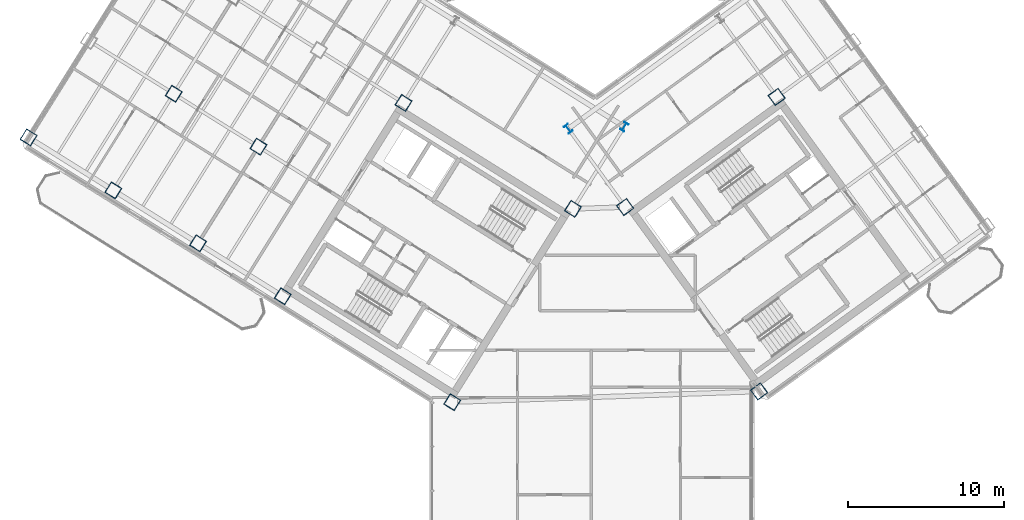
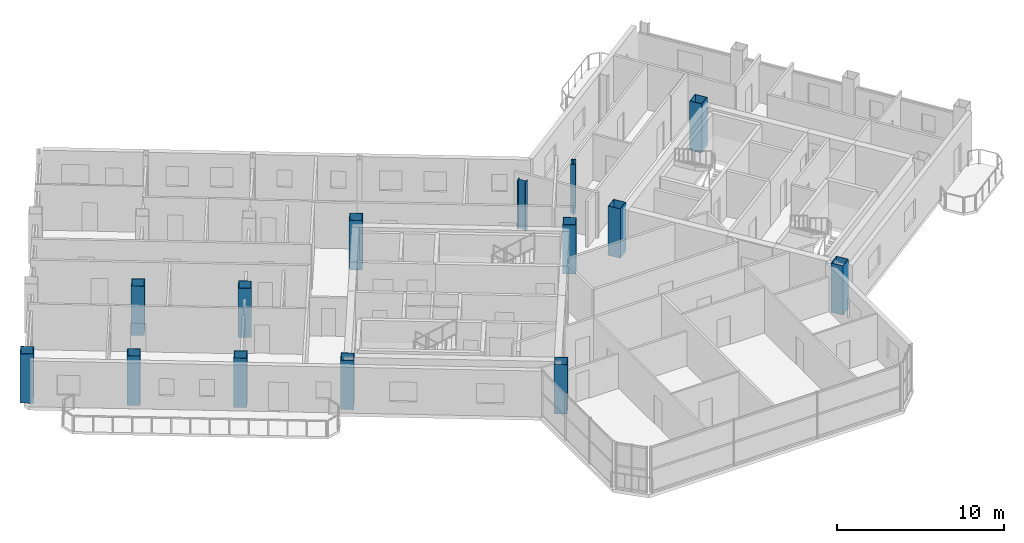
# One storey, part 1 of 21: 14 columns.
"""IFC4 building model written with IfcOpenShell, lengths in metres."""

from ifc_helpers import new_model, si_unit, direction, frame, origin, origin_2d, place, context, subcontext, project, spatial, hollow_rectangle, i_section, extrude, source, transform, mapped, material, material_profile, profile_set, type_object, element, save


model = new_model("IFC4")

# Units and contexts
model_context = context("Model", 3, precision=1e-05, world=origin(), true_north=direction((0.0, 1.0)))
body_context = subcontext(model_context, "Body", "Model", "MODEL_VIEW")
ifc_project = project(units=[si_unit("LENGTHUNIT", "METRE"), si_unit("AREAUNIT", "SQUARE_METRE"), si_unit("VOLUMEUNIT", "CUBIC_METRE"), si_unit("PLANEANGLEUNIT", "RADIAN"), si_unit("MASSUNIT", "GRAM", prefix="KILO")], contexts=[model_context])

# Site, building, storey
site_placement = place(None, origin())
site = spatial("IfcSite", under=ifc_project, at=site_placement, CompositionType="ELEMENT")
building_placement = place(site_placement, origin())
building = spatial("IfcBuilding", under=site, at=building_placement, Name="Tlacorven Tower", CompositionType="ELEMENT")
storey_placement = place(building_placement, frame((0.0, 0.0, 222.0)))
storey = spatial("IfcBuildingStorey", under=building, at=storey_placement, Name="L56", CompositionType="ELEMENT", Elevation=222.0)

# Columns
ifc_material = material(Name="Steel S460M", Category="steel")
ifc_material_profile_1 = material_profile(ifc_material, i_section(OverallWidth=0.300048828125, OverallDepth=0.550048828125, WebThickness=0.014892578125, FlangeThickness=0.029052734375, at=origin_2d()), Name="HEB 550")
ifc_profile_set_1 = profile_set([ifc_material_profile_1], Name="Steel S460M")
column_type_1 = type_object("IfcColumnType", Name="COL-TWR-P2", PredefinedType="COLUMN", material=ifc_profile_set_1)
shared_shape_1 = source(origin(), body_context, "Body", "SweptSolid", [
    extrude(i_section(OverallWidth=0.300048828125, OverallDepth=0.550048828125, WebThickness=0.014892578125, FlangeThickness=0.029052734375, at=origin_2d()), origin(), (0.0, 0.0, 1.0), 3.60009765625),
])
for number, where, z_axis, x_axis, name in (
    (1, (44.068359375, 29.726318359375, 0.0), (0.0, 0.0, 1.0), (-0.848048096156, 0.529919264233, 0.0), "L56 column COL-L56-W1-1"),
    (2, (40.4794921875, 29.60107421875, 0.0), (0.0, 0.0, 1.0), (0.809016994375, 0.587785252292, 0.0), "L56 column COL-L56-E1-4"),
):
    element("IfcColumn", number, at=place(storey_placement, frame(where, z_axis=z_axis, x_axis=x_axis)), inside=storey, type_object=column_type_1, Name=name, PredefinedType="COLUMN", context=body_context, shape_type="MappedRepresentation", body=[
        mapped(shared_shape_1, transform((0.0, 0.0, 0.0), scale=1.0)),
    ])
ifc_material_profile_2 = material_profile(ifc_material, hollow_rectangle(XDim=0.800048828125, YDim=0.800048828125, WallThickness=0.031982421875, at=origin_2d()), Name="BOX 800X800X32")
ifc_profile_set_2 = profile_set([ifc_material_profile_2], Name="Steel S460M")
column_type_2 = type_object("IfcColumnType", Name="COL-TWR-S3", PredefinedType="COLUMN", material=ifc_profile_set_2)
shared_shape_2 = source(origin(), body_context, "Body", "SweptSolid", [
    extrude(hollow_rectangle(XDim=0.800048828125, YDim=0.800048828125, WallThickness=0.031982421875, at=origin_2d()), origin(), (0.0, 0.0, 1.0), 3.60009765625),
])
for number, where, z_axis, x_axis, name in (
    (3, (40.782958984375, 24.468505859375, 0.0), (0.0, 0.0, 1.0), (-0.848048096156, 0.529919264233, 0.0), "L56 column COL-L56-W1-2"),
    (4, (33.046142578125, 12.0869140625, 0.0), (0.0, 0.0, 1.0), (-0.848048096156, 0.529919264233, 0.0), "L56 column COL-L56-W1-4"),
    (5, (29.927978515625, 31.25146484375, 0.0), (0.0, 0.0, 1.0), (-0.848048096156, 0.529919264233, 0.0), "L56 column COL-L56-W3-2"),
    (6, (22.191162109375, 18.869873046875, 0.0), (0.0, 0.0, 1.0), (-0.848048096156, 0.529919264233, 0.0), "L56 column COL-L56-W3-4"),
    (7, (20.632080078125, 28.4521484375, 0.0), (0.0, 0.0, 1.0), (-0.848048096156, 0.529919264233, 0.0), "L56 column COL-L56-W4-3"),
    (8, (16.763671875, 22.26123046875, 0.0), (0.0, 0.0, 1.0), (-0.848048096156, 0.529919264233, 0.0), "L56 column COL-L56-W4-4"),
    (9, (15.20458984375, 31.843505859375, 0.0), (0.0, 0.0, 1.0), (-0.848048096156, 0.529919264233, 0.0), "L56 column COL-L56-W5-3"),
    (10, (11.336181640625, 25.65283203125, 0.0), (0.0, 0.0, 1.0), (-0.848048096156, 0.529919264233, 0.0), "L56 column COL-L56-W5-4"),
    (11, (5.90869140625, 29.044189453125, 0.0), (0.0, 0.0, 1.0), (-0.848048096156, 0.529919264233, 0.0), "L56 column COL-L56-W6-4"),
    (12, (52.705322265625, 12.7734375, 0.0), (0.0, 0.0, 1.0), (0.809016994375, 0.587785252292, 0.0), "L56 column COL-L56-E1-1"),
    (13, (44.123779296875, 24.5849609375, 0.0), (0.0, 0.0, 1.0), (0.809016994375, 0.587785252292, 0.0), "L56 column COL-L56-E1-3"),
    (14, (53.83203125, 31.638427734375, 0.0), (0.0, 0.0, 1.0), (0.809016994375, 0.587785252292, 0.0), "L56 column COL-L56-E3-3"),
):
    element("IfcColumn", number, at=place(storey_placement, frame(where, z_axis=z_axis, x_axis=x_axis)), inside=storey, type_object=column_type_2, Name=name, PredefinedType="COLUMN", context=body_context, shape_type="MappedRepresentation", body=[
        mapped(shared_shape_2, transform((0.0, 0.0, 0.0), scale=1.0)),
    ])

save(model, "model.ifc")
